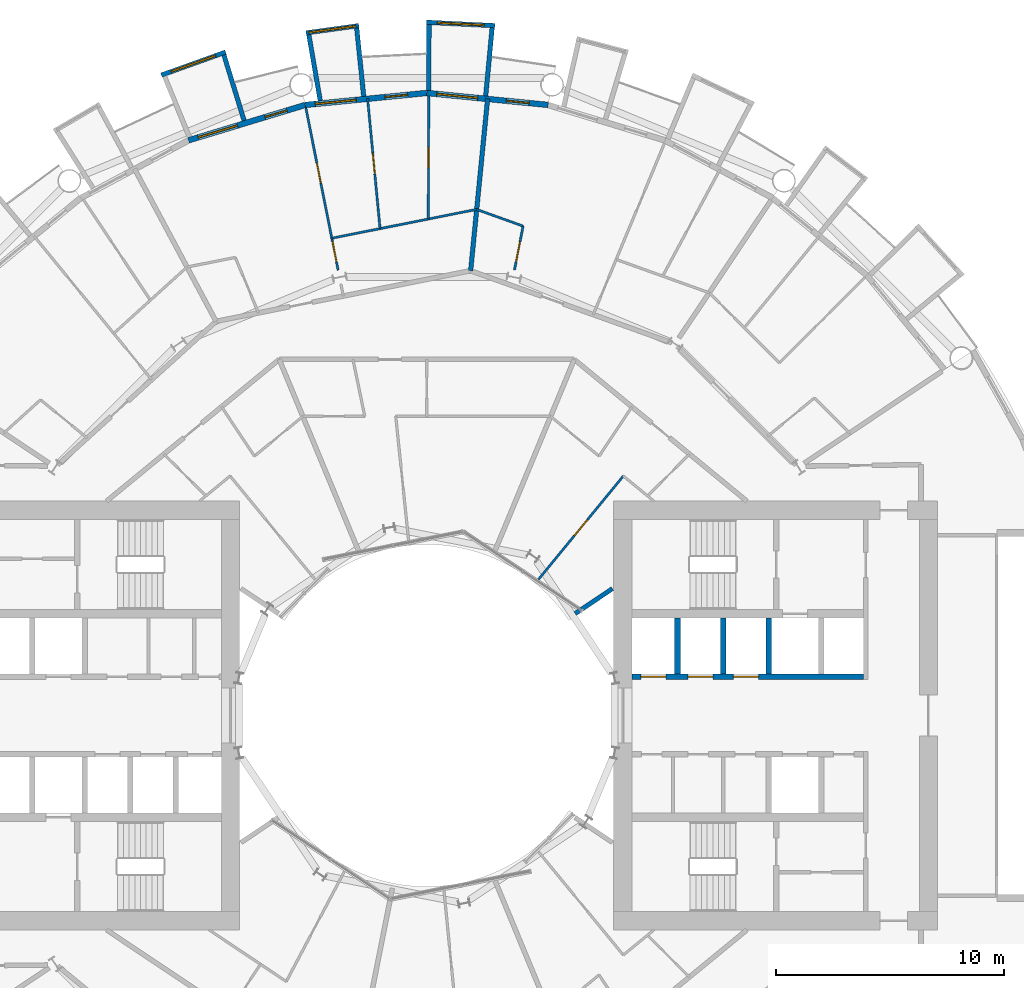
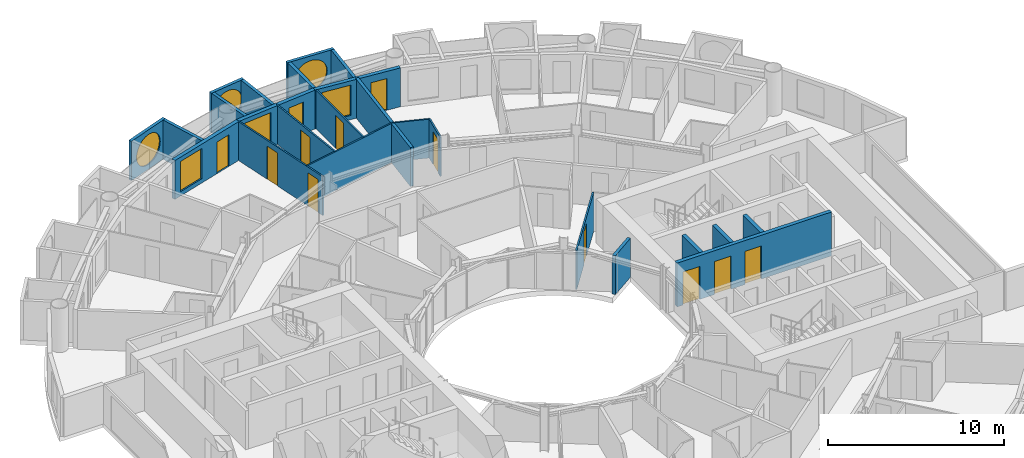
# One storey, part 20 of 26: 24 walls, 12 doors, 6 windows, 18 openings.
"""IFC4 building model written with IfcOpenShell, lengths in metres."""

from ifc_helpers import new_model, si_unit, direction, frame, frame_2d, origin, place, context, subcontext, project, spatial, rectangle, circle, extrude, material, layer, layer_set, type_object, element, fill, save


model = new_model("IFC4")

# Units and contexts
model_context = context("Model", 3, precision=1e-05, world=origin(), true_north=direction((0.0, 1.0)))
body_context = subcontext(model_context, "Body", "Model", "MODEL_VIEW")
ifc_project = project(units=[si_unit("LENGTHUNIT", "METRE"), si_unit("AREAUNIT", "SQUARE_METRE"), si_unit("VOLUMEUNIT", "CUBIC_METRE"), si_unit("PLANEANGLEUNIT", "RADIAN"), si_unit("MASSUNIT", "GRAM", prefix="KILO")], contexts=[model_context])

# Site, building, storey
site_placement = place(None, origin())
site = spatial("IfcSite", under=ifc_project, at=site_placement, CompositionType="ELEMENT")
building_placement = place(site_placement, origin())
building = spatial("IfcBuilding", under=site, at=building_placement, Name="Maasbend Ring Residences", CompositionType="ELEMENT")
storey_placement = place(building_placement, frame((0.0, 0.0, 35.0)))
storey = spatial("IfcBuildingStorey", under=building, at=storey_placement, Name="L09", CompositionType="ELEMENT", Elevation=35.0)

# Wall, openings, doors
ifc_material_1 = material(Name="Concrete C70/85", Category="concrete")
ifc_layer_1 = layer(ifc_material_1, 0.25)
ifc_layer_set_1 = layer_set([ifc_layer_1], Name="Concrete C70/85")
wall_type_1 = type_object("IfcWallType", Name="CORE WALL 250 C70/85", PredefinedType="SHEAR", material=ifc_layer_set_1)
wall_1_placement = place(storey_placement, frame((9.0, 1.699951171875, 0.0), z_axis=(0.0, 0.0, 1.0), x_axis=(1.0, 0.0, 0.0)))
wall_1 = element("IfcWall", 1, at=wall_1_placement, inside=storey, type_object=wall_type_1, Name="L09 core E wall SPN", PredefinedType="SHEAR", context=body_context, shape_type="SweptSolid", body=[
    extrude(rectangle(XDim=10.14990234375, YDim=0.25, at=frame_2d((5.074951171875, 0.0))), origin(), (0.0, 0.0, 1.0), 3.050048828125),
])
opening_1_placement = place(wall_1_placement, frame((0.387451171875, 0.0, 0.0)))
opening_1 = element("IfcOpeningElement", 2, at=opening_1_placement, cuts=wall_1, Name="Opening LD-E0901", PredefinedType="OPENING", context=body_context, shape_type="SweptSolid", body=[
    extrude(rectangle(XDim=1.10009765625, YDim=2.300048828125, at=frame_2d((0.550048828125, 1.14990234375))), frame((0.0, 0.135009765625, 0.0), z_axis=(0.0, -1.0, 0.0), x_axis=(1.0, 0.0, 0.0)), (0.0, 0.0, 1.0), 0.27001953125),
])
opening_2_placement = place(wall_1_placement, frame((2.449951171875, 0.0, 0.0)))
opening_2 = element("IfcOpeningElement", 3, at=opening_2_placement, cuts=wall_1, Name="Opening LD-E0902", PredefinedType="OPENING", context=body_context, shape_type="SweptSolid", body=[
    extrude(rectangle(XDim=1.10009765625, YDim=2.300048828125, at=frame_2d((0.550048828125, 1.14990234375))), frame((0.0, 0.135009765625, 0.0), z_axis=(0.0, -1.0, 0.0), x_axis=(1.0, 0.0, 0.0)), (0.0, 0.0, 1.0), 0.27001953125),
])
opening_3_placement = place(wall_1_placement, frame((4.449951171875, 0.0, 0.0)))
opening_3 = element("IfcOpeningElement", 4, at=opening_3_placement, cuts=wall_1, Name="Opening LD-E0903", PredefinedType="OPENING", context=body_context, shape_type="SweptSolid", body=[
    extrude(rectangle(XDim=1.10009765625, YDim=2.300048828125, at=frame_2d((0.550048828125, 1.14990234375))), frame((0.0, 0.135009765625, 0.0), z_axis=(0.0, -1.0, 0.0), x_axis=(1.0, 0.0, 0.0)), (0.0, 0.0, 1.0), 0.27001953125),
])
ifc_material_2 = material(Name="Stainless steel 316", Category="steel")
door_type_1 = type_object("IfcDoorType", Name="LANDING DOOR 1100 X 2300 FD60", OperationType="DOUBLE_DOOR_SLIDING", PredefinedType="DOOR", material=ifc_material_2)
door_1_placement = place(opening_1_placement, origin())
door_1 = element("IfcDoor", 5, at=door_1_placement, inside=storey, type_object=door_type_1, Name="Landing door LR-E1 L09", OperationType="DOUBLE_DOOR_SLIDING", OverallHeight=2.300048828125, OverallWidth=1.10009765625, PredefinedType="DOOR", context=body_context, shape_type="SweptSolid", body=[
    extrude(rectangle(XDim=1.10009765625, YDim=2.300048828125, at=frame_2d((0.550048828125, 1.14990234375))), frame((0.0, 0.02490234375, 0.0), z_axis=(0.0, -1.0, 0.0), x_axis=(1.0, 0.0, 0.0)), (0.0, 0.0, 1.0), 0.050048828125),
])
fill(opening_1, door_1)
door_2_placement = place(opening_2_placement, origin())
door_2 = element("IfcDoor", 6, at=door_2_placement, inside=storey, type_object=door_type_1, Name="Landing door LR-E2 L09", OperationType="DOUBLE_DOOR_SLIDING", OverallHeight=2.300048828125, OverallWidth=1.10009765625, PredefinedType="DOOR", context=body_context, shape_type="SweptSolid", body=[
    extrude(rectangle(XDim=1.10009765625, YDim=2.300048828125, at=frame_2d((0.550048828125, 1.14990234375))), frame((0.0, 0.02490234375, 0.0), z_axis=(0.0, -1.0, 0.0), x_axis=(1.0, 0.0, 0.0)), (0.0, 0.0, 1.0), 0.050048828125),
])
fill(opening_2, door_2)
door_3_placement = place(opening_3_placement, origin())
door_3 = element("IfcDoor", 7, at=door_3_placement, inside=storey, type_object=door_type_1, Name="Landing door LR-E3 L09", OperationType="DOUBLE_DOOR_SLIDING", OverallHeight=2.300048828125, OverallWidth=1.10009765625, PredefinedType="DOOR", context=body_context, shape_type="SweptSolid", body=[
    extrude(rectangle(XDim=1.10009765625, YDim=2.300048828125, at=frame_2d((0.550048828125, 1.14990234375))), frame((0.0, 0.02490234375, 0.0), z_axis=(0.0, -1.0, 0.0), x_axis=(1.0, 0.0, 0.0)), (0.0, 0.0, 1.0), 0.050048828125),
])
fill(opening_3, door_3)

# Wall, opening, window
ifc_material_3 = material(Name="Pale anodised aluminium panel", Category="aluminium")
ifc_layer_2 = layer(ifc_material_3, 0.199951171875)
ifc_layer_set_2 = layer_set([ifc_layer_2], Name="EW-BOX")
wall_type_2 = type_object("IfcWallType", Name="EW-BOX", PredefinedType="SOLIDWALL", material=ifc_layer_set_2)
wall_2_placement = place(storey_placement, frame((2.985107421875, 30.2529296875, -0.030029296875), z_axis=(0.0, 0.0, 1.0), x_axis=(-0.998794083011, 0.049095618353, 0.0)))
wall_2 = element("IfcWall", 8, at=wall_2_placement, inside=storey, type_object=wall_type_2, Name="Box front N10", PredefinedType="SOLIDWALL", context=body_context, shape_type="SweptSolid", body=[
    extrude(rectangle(XDim=2.99365234375, YDim=0.199951171875, at=frame_2d((1.496826171875, 0.0))), origin(), (0.0, 0.0, 1.0), 2.72998046875),
])
opening_4_placement = place(wall_2_placement, frame((0.45654296875, 0.0, 0.330078125)))
opening_4 = element("IfcOpeningElement", 9, at=opening_4_placement, cuts=wall_2, Name="Opening W-RD", PredefinedType="OPENING", context=body_context, shape_type="SweptSolid", body=[
    extrude(circle(Radius=1.0400390625, at=frame_2d((1.0400390625, 1.0400390625))), frame((0.0, 0.10986328125, 0.0), z_axis=(0.0, -1.0, 0.0), x_axis=(1.0, 0.0, 0.0)), (0.0, 0.0, 1.0), 0.219970703125),
])
ifc_material_4 = material(Name="Aluminium and clear glass", Category="aluminium")
window_type_1 = type_object("IfcWindowType", Name="W-RD", PartitioningType="SINGLE_PANEL", PredefinedType="WINDOW", material=ifc_material_4)
window_1_placement = place(opening_4_placement, origin())
window_1 = element("IfcWindow", 10, at=window_1_placement, inside=storey, type_object=window_type_1, Name="Round window N10", OverallHeight=2.080078125, OverallWidth=2.080078125, PartitioningType="SINGLE_PANEL", PredefinedType="WINDOW", context=body_context, shape_type="SweptSolid", body=[
    extrude(circle(Radius=1.0400390625, at=frame_2d((1.0400390625, 1.0400390625))), frame((0.0, 0.030029296875, 0.0), z_axis=(0.0, -1.0, 0.0), x_axis=(1.0, 0.0, 0.0)), (0.0, 0.0, 1.0), 0.06005859375),
])
fill(opening_4, window_1)

# Walls
wall_3_placement = place(storey_placement, frame((2.5859375, 27.1708984375, -0.030029296875), z_axis=(0.0, 0.0, 1.0), x_axis=(0.094548432284, 0.995520262954, 0.0)))
element("IfcWall", 11, at=wall_3_placement, inside=storey, type_object=wall_type_2, Name="Box side wall N10 left", PredefinedType="SOLIDWALL", context=body_context, shape_type="SweptSolid", body=[
    extrude(rectangle(XDim=3.005615234375, YDim=0.199951171875, at=frame_2d((1.5029296875, 0.0))), origin(), (0.0, 0.0, 1.0), 2.72998046875),
])
wall_4_placement = place(storey_placement, frame((0.090087890625, 27.4169921875, -0.030029296875), z_axis=(0.0, 0.0, 1.0), x_axis=(0.00347308367, 0.999993968827, 0.0)))
element("IfcWall", 12, at=wall_4_placement, inside=storey, type_object=wall_type_2, Name="Box side wall N10 right", PredefinedType="SOLIDWALL", context=body_context, shape_type="SweptSolid", body=[
    extrude(rectangle(XDim=2.882080078125, YDim=0.199951171875, at=frame_2d((1.44091796875, 0.0))), origin(), (0.0, 0.0, 1.0), 2.72998046875),
])

# Wall, opening, window
wall_5_placement = place(storey_placement, frame((-2.97607421875, 30.25390625, -0.030029296875), z_axis=(0.0, 0.0, 1.0), x_axis=(-0.990696111261, -0.136092671119, 0.0)))
wall_5 = element("IfcWall", 13, at=wall_5_placement, inside=storey, type_object=wall_type_2, Name="Box front N12", PredefinedType="SOLIDWALL", context=body_context, shape_type="SweptSolid", body=[
    extrude(rectangle(XDim=2.335693359375, YDim=0.199951171875, at=frame_2d((1.16796875, 0.0))), origin(), (0.0, 0.0, 1.0), 2.72998046875),
])
opening_5_placement = place(wall_5_placement, frame((0.128173828125, 0.0, 0.330078125)))
opening_5 = element("IfcOpeningElement", 14, at=opening_5_placement, cuts=wall_5, Name="Opening W-RD", PredefinedType="OPENING", context=body_context, shape_type="SweptSolid", body=[
    extrude(circle(Radius=1.0400390625, at=frame_2d((1.0400390625, 1.0400390625))), frame((0.0, 0.10986328125, 0.0), z_axis=(0.0, -1.0, 0.0), x_axis=(1.0, 0.0, 0.0)), (0.0, 0.0, 1.0), 0.219970703125),
])
window_2_placement = place(opening_5_placement, origin())
window_2 = element("IfcWindow", 15, at=window_2_placement, inside=storey, type_object=window_type_1, Name="Round window N12", OverallHeight=2.080078125, OverallWidth=2.080078125, PartitioningType="SINGLE_PANEL", PredefinedType="WINDOW", context=body_context, shape_type="SweptSolid", body=[
    extrude(circle(Radius=1.0400390625, at=frame_2d((1.0400390625, 1.0400390625))), frame((0.0, 0.030029296875, 0.0), z_axis=(0.0, -1.0, 0.0), x_axis=(1.0, 0.0, 0.0)), (0.0, 0.0, 1.0), 0.06005859375),
])
fill(opening_5, window_2)

# Walls
wall_6_placement = place(storey_placement, frame((-2.763916015625, 27.153076171875, -0.030029296875), z_axis=(0.0, 0.0, 1.0), x_axis=(-0.101505487237, 0.994834979311, 0.0)))
element("IfcWall", 16, at=wall_6_placement, inside=storey, type_object=wall_type_2, Name="Box side wall N12 left", PredefinedType="SOLIDWALL", context=body_context, shape_type="SweptSolid", body=[
    extrude(rectangle(XDim=3.006591796875, YDim=0.199951171875, at=frame_2d((1.50341796875, 0.0))), origin(), (0.0, 0.0, 1.0), 2.72998046875),
])
wall_7_placement = place(storey_placement, frame((-4.6708984375, 26.966064453125, -0.030029296875), z_axis=(0.0, 0.0, 1.0), x_axis=(-0.170539878907, 0.985350774954, 0.0)))
element("IfcWall", 17, at=wall_7_placement, inside=storey, type_object=wall_type_2, Name="Box side wall N12 right", PredefinedType="SOLIDWALL", context=body_context, shape_type="SweptSolid", body=[
    extrude(rectangle(XDim=2.931884765625, YDim=0.199951171875, at=frame_2d((1.4658203125, 0.0))), origin(), (0.0, 0.0, 1.0), 2.72998046875),
])

# Wall, opening, window
wall_8_placement = place(storey_placement, frame((-8.820068359375, 29.093017578125, -0.030029296875), z_axis=(0.0, 0.0, 1.0), x_axis=(-0.941461077774, -0.337121697664, 0.0)))
wall_8 = element("IfcWall", 18, at=wall_8_placement, inside=storey, type_object=wall_type_2, Name="Box front N14", PredefinedType="SOLIDWALL", context=body_context, shape_type="SweptSolid", body=[
    extrude(rectangle(XDim=2.9931640625, YDim=0.199951171875, at=frame_2d((1.49658203125, 0.0))), origin(), (0.0, 0.0, 1.0), 2.72998046875),
])
opening_6_placement = place(wall_8_placement, frame((0.45654296875, 0.0, 0.330078125)))
opening_6 = element("IfcOpeningElement", 19, at=opening_6_placement, cuts=wall_8, Name="Opening W-RD", PredefinedType="OPENING", context=body_context, shape_type="SweptSolid", body=[
    extrude(circle(Radius=1.0400390625, at=frame_2d((1.0400390625, 1.0400390625))), frame((0.0, 0.10986328125, 0.0), z_axis=(0.0, -1.0, 0.0), x_axis=(1.0, 0.0, 0.0)), (0.0, 0.0, 1.0), 0.219970703125),
])
window_3_placement = place(opening_6_placement, origin())
window_3 = element("IfcWindow", 20, at=window_3_placement, inside=storey, type_object=window_type_1, Name="Round window N14", OverallHeight=2.080078125, OverallWidth=2.080078125, PartitioningType="SINGLE_PANEL", PredefinedType="WINDOW", context=body_context, shape_type="SweptSolid", body=[
    extrude(circle(Radius=1.0400390625, at=frame_2d((1.0400390625, 1.0400390625))), frame((0.0, 0.030029296875, 0.0), z_axis=(0.0, -1.0, 0.0), x_axis=(1.0, 0.0, 0.0)), (0.0, 0.0, 1.0), 0.06005859375),
])
fill(opening_6, window_3)

# Wall
wall_9_placement = place(storey_placement, frame((-8.009033203125, 26.092041015625, -0.030029296875), z_axis=(0.0, 0.0, 1.0), x_axis=(-0.293406695073, 0.955987715029, 0.0)))
element("IfcWall", 21, at=wall_9_placement, inside=storey, type_object=wall_type_2, Name="Box side wall N14 left", PredefinedType="SOLIDWALL", context=body_context, shape_type="SweptSolid", body=[
    extrude(rectangle(XDim=3.00634765625, YDim=0.199951171875, at=frame_2d((1.503173828125, 0.0))), origin(), (0.0, 0.0, 1.0), 2.72998046875),
])

# Wall, openings, door, window
ifc_material_5 = material(Name="Aluminium clad insulated panel", Category="aluminium")
ifc_layer_3 = layer(ifc_material_5, 0.25)
ifc_layer_set_3 = layer_set([ifc_layer_3], Name="EW-GL")
wall_type_3 = type_object("IfcWallType", Name="EW-GL", PredefinedType="SOLIDWALL", material=ifc_layer_set_3)
wall_10_placement = place(storey_placement, frame((5.325927734375, 26.77490234375, 0.0), z_axis=(0.0, 0.0, 1.0), x_axis=(-0.995173996315, 0.098126026407, 0.0)))
wall_10 = element("IfcWall", 22, at=wall_10_placement, inside=storey, type_object=wall_type_3, Name="External wall N05", PredefinedType="SOLIDWALL", context=body_context, shape_type="SweptSolid", body=[
    extrude(rectangle(XDim=5.351806640625, YDim=0.25, at=frame_2d((2.67578125, 0.0))), origin(), (0.0, 0.0, 1.0), 2.699951171875),
])
opening_7_placement = place(wall_10_placement, frame((0.841064453125, 0.0, 0.0)))
opening_7 = element("IfcOpeningElement", 23, at=opening_7_placement, cuts=wall_10, Name="Opening D-LG", PredefinedType="OPENING", context=body_context, shape_type="SweptSolid", body=[
    extrude(rectangle(XDim=1.0, YDim=2.199951171875, at=frame_2d((0.5, 1.10009765625))), frame((0.0, 0.135009765625, 0.0), z_axis=(0.0, -1.0, 0.0), x_axis=(1.0, 0.0, 0.0)), (0.0, 0.0, 1.0), 0.27001953125),
])
opening_8_placement = place(wall_10_placement, frame((3.110595703125, 0.0, 0.300048828125)))
opening_8 = element("IfcOpeningElement", 24, at=opening_8_placement, cuts=wall_10, Name="Opening W-BX", PredefinedType="OPENING", context=body_context, shape_type="SweptSolid", body=[
    extrude(rectangle(XDim=1.800048828125, YDim=2.10009765625, at=frame_2d((0.89990234375, 1.050048828125))), frame((0.0, 0.135009765625, 0.0), z_axis=(0.0, -1.0, 0.0), x_axis=(1.0, 0.0, 0.0)), (0.0, 0.0, 1.0), 0.27001953125),
])
ifc_material_6 = material(Name="Aluminium and clear glass", Category="aluminium")
door_type_2 = type_object("IfcDoorType", Name="D-LG", OperationType="SINGLE_SWING_LEFT", PredefinedType="DOOR", material=ifc_material_6)
door_4_placement = place(opening_7_placement, origin())
door_4 = element("IfcDoor", 25, at=door_4_placement, inside=storey, type_object=door_type_2, Name="Loggia door N09", OperationType="SINGLE_SWING_LEFT", OverallHeight=2.199951171875, OverallWidth=1.0, PredefinedType="DOOR", context=body_context, shape_type="SweptSolid", body=[
    extrude(rectangle(XDim=1.0, YDim=2.199951171875, at=frame_2d((0.5, 1.10009765625))), frame((0.0, 0.02490234375, 0.0), z_axis=(0.0, -1.0, 0.0), x_axis=(1.0, 0.0, 0.0)), (0.0, 0.0, 1.0), 0.050048828125),
])
fill(opening_7, door_4)
ifc_material_7 = material(Name="Aluminium and clear glass", Category="aluminium")
window_type_2 = type_object("IfcWindowType", Name="W-BX", PartitioningType="DOUBLE_PANEL_VERTICAL", PredefinedType="WINDOW", material=ifc_material_7)
window_4_placement = place(opening_8_placement, origin())
window_4 = element("IfcWindow", 26, at=window_4_placement, inside=storey, type_object=window_type_2, Name="Window N10 room to box", OverallHeight=2.10009765625, OverallWidth=1.800048828125, PartitioningType="SINGLE_PANEL", PredefinedType="WINDOW", context=body_context, shape_type="SweptSolid", body=[
    extrude(rectangle(XDim=1.800048828125, YDim=2.10009765625, at=frame_2d((0.89990234375, 1.050048828125))), frame((0.0, 0.030029296875, 0.0), z_axis=(0.0, -1.0, 0.0), x_axis=(1.0, 0.0, 0.0)), (0.0, 0.0, 1.0), 0.06005859375),
])
fill(opening_8, window_4)

wall_11_placement = place(storey_placement, frame((0.0, 27.300048828125, 0.0), z_axis=(0.0, 0.0, 1.0), x_axis=(-0.995173996315, -0.098126026407, 0.0)))
wall_11 = element("IfcWall", 27, at=wall_11_placement, inside=storey, type_object=wall_type_3, Name="External wall N06", PredefinedType="SOLIDWALL", context=body_context, shape_type="SweptSolid", body=[
    extrude(rectangle(XDim=5.351806640625, YDim=0.25, at=frame_2d((2.67578125, 0.0))), origin(), (0.0, 0.0, 1.0), 2.699951171875),
])
opening_9_placement = place(wall_11_placement, frame((0.841064453125, 0.0, 0.0)))
opening_9 = element("IfcOpeningElement", 28, at=opening_9_placement, cuts=wall_11, Name="Opening D-LG", PredefinedType="OPENING", context=body_context, shape_type="SweptSolid", body=[
    extrude(rectangle(XDim=1.0, YDim=2.199951171875, at=frame_2d((0.5, 1.10009765625))), frame((0.0, 0.135009765625, 0.0), z_axis=(0.0, -1.0, 0.0), x_axis=(1.0, 0.0, 0.0)), (0.0, 0.0, 1.0), 0.27001953125),
])
opening_10_placement = place(wall_11_placement, frame((3.110595703125, 0.0, 0.300048828125)))
opening_10 = element("IfcOpeningElement", 29, at=opening_10_placement, cuts=wall_11, Name="Opening W-BX", PredefinedType="OPENING", context=body_context, shape_type="SweptSolid", body=[
    extrude(rectangle(XDim=1.800048828125, YDim=2.10009765625, at=frame_2d((0.89990234375, 1.050048828125))), frame((0.0, 0.135009765625, 0.0), z_axis=(0.0, -1.0, 0.0), x_axis=(1.0, 0.0, 0.0)), (0.0, 0.0, 1.0), 0.27001953125),
])
door_5_placement = place(opening_9_placement, origin())
door_5 = element("IfcDoor", 30, at=door_5_placement, inside=storey, type_object=door_type_2, Name="Loggia door N11", OperationType="SINGLE_SWING_LEFT", OverallHeight=2.199951171875, OverallWidth=1.0, PredefinedType="DOOR", context=body_context, shape_type="SweptSolid", body=[
    extrude(rectangle(XDim=1.0, YDim=2.199951171875, at=frame_2d((0.5, 1.10009765625))), frame((0.0, 0.02490234375, 0.0), z_axis=(0.0, -1.0, 0.0), x_axis=(1.0, 0.0, 0.0)), (0.0, 0.0, 1.0), 0.050048828125),
])
fill(opening_9, door_5)
window_5_placement = place(opening_10_placement, origin())
window_5 = element("IfcWindow", 31, at=window_5_placement, inside=storey, type_object=window_type_2, Name="Window N12 room to box", OverallHeight=2.10009765625, OverallWidth=1.800048828125, PartitioningType="SINGLE_PANEL", PredefinedType="WINDOW", context=body_context, shape_type="SweptSolid", body=[
    extrude(rectangle(XDim=1.800048828125, YDim=2.10009765625, at=frame_2d((0.89990234375, 1.050048828125))), frame((0.0, 0.030029296875, 0.0), z_axis=(0.0, -1.0, 0.0), x_axis=(1.0, 0.0, 0.0)), (0.0, 0.0, 1.0), 0.06005859375),
])
fill(opening_10, window_5)

wall_12_placement = place(storey_placement, frame((-5.325927734375, 26.77490234375, 0.0), z_axis=(0.0, 0.0, 1.0), x_axis=(-0.956965678721, -0.290201119486, 0.0)))
wall_12 = element("IfcWall", 32, at=wall_12_placement, inside=storey, type_object=wall_type_3, Name="External wall N07", PredefinedType="SOLIDWALL", context=body_context, shape_type="SweptSolid", body=[
    extrude(rectangle(XDim=5.351318359375, YDim=0.25, at=frame_2d((2.67578125, 0.0))), origin(), (0.0, 0.0, 1.0), 2.699951171875),
])
opening_11_placement = place(wall_12_placement, frame((0.841064453125, 0.0, 0.0)))
opening_11 = element("IfcOpeningElement", 33, at=opening_11_placement, cuts=wall_12, Name="Opening D-LG", PredefinedType="OPENING", context=body_context, shape_type="SweptSolid", body=[
    extrude(rectangle(XDim=1.0, YDim=2.199951171875, at=frame_2d((0.5, 1.10009765625))), frame((0.0, 0.135009765625, 0.0), z_axis=(0.0, -1.0, 0.0), x_axis=(1.0, 0.0, 0.0)), (0.0, 0.0, 1.0), 0.27001953125),
])
opening_12_placement = place(wall_12_placement, frame((3.110595703125, 0.0, 0.300048828125)))
opening_12 = element("IfcOpeningElement", 34, at=opening_12_placement, cuts=wall_12, Name="Opening W-BX", PredefinedType="OPENING", context=body_context, shape_type="SweptSolid", body=[
    extrude(rectangle(XDim=1.800048828125, YDim=2.10009765625, at=frame_2d((0.89990234375, 1.050048828125))), frame((0.0, 0.135009765625, 0.0), z_axis=(0.0, -1.0, 0.0), x_axis=(1.0, 0.0, 0.0)), (0.0, 0.0, 1.0), 0.27001953125),
])
door_6_placement = place(opening_11_placement, origin())
door_6 = element("IfcDoor", 35, at=door_6_placement, inside=storey, type_object=door_type_2, Name="Loggia door N13", OperationType="SINGLE_SWING_LEFT", OverallHeight=2.199951171875, OverallWidth=1.0, PredefinedType="DOOR", context=body_context, shape_type="SweptSolid", body=[
    extrude(rectangle(XDim=1.0, YDim=2.199951171875, at=frame_2d((0.5, 1.10009765625))), frame((0.0, 0.02490234375, 0.0), z_axis=(0.0, -1.0, 0.0), x_axis=(1.0, 0.0, 0.0)), (0.0, 0.0, 1.0), 0.050048828125),
])
fill(opening_11, door_6)
window_6_placement = place(opening_12_placement, origin())
window_6 = element("IfcWindow", 36, at=window_6_placement, inside=storey, type_object=window_type_2, Name="Window N14 room to box", OverallHeight=2.10009765625, OverallWidth=1.800048828125, PartitioningType="SINGLE_PANEL", PredefinedType="WINDOW", context=body_context, shape_type="SweptSolid", body=[
    extrude(rectangle(XDim=1.800048828125, YDim=2.10009765625, at=frame_2d((0.89990234375, 1.050048828125))), frame((0.0, 0.030029296875, 0.0), z_axis=(0.0, -1.0, 0.0), x_axis=(1.0, 0.0, 0.0)), (0.0, 0.0, 1.0), 0.06005859375),
])
fill(opening_12, window_6)

# Wall, openings, doors
ifc_material_8 = material(Name="Gypsum board on steel studs", Category="steel")
ifc_layer_4 = layer(ifc_material_8, 0.10009765625)
ifc_layer_set_4 = layer_set([ifc_layer_4], Name="PARTITION 100 GYPSUM")
wall_type_4 = type_object("IfcWallType", Name="PARTITION 100 GYPSUM", PredefinedType="PARTITIONING", material=ifc_layer_set_4)
wall_13_placement = place(storey_placement, frame((-5.301025390625, 26.653076171875, 0.0), z_axis=(0.0, 0.0, 1.0), x_axis=(0.19503038749, -0.980797200218, 0.0)))
wall_13 = element("IfcWall", 37, at=wall_13_placement, inside=storey, type_object=wall_type_4, Name="U-L09-w050", PredefinedType="PARTITIONING", context=body_context, shape_type="SweptSolid", body=[
    extrude(rectangle(XDim=7.265380859375, YDim=0.10009765625, at=frame_2d((3.6328125, 0.0))), origin(), (0.0, 0.0, 1.0), 2.699951171875),
])
opening_13_placement = place(wall_13_placement, frame((5.985107421875, 0.0, 0.0)))
opening_13 = element("IfcOpeningElement", 38, at=opening_13_placement, cuts=wall_13, Name="Opening D-0912", PredefinedType="OPENING", context=body_context, shape_type="SweptSolid", body=[
    extrude(rectangle(XDim=0.89990234375, YDim=2.300048828125, at=frame_2d((0.449951171875, 1.14990234375))), frame((0.0, 0.06005859375, 0.0), z_axis=(0.0, -1.0, 0.0), x_axis=(1.0, 0.0, 0.0)), (0.0, 0.0, 1.0), 0.1201171875),
])
opening_14_placement = place(wall_13_placement, frame((2.467041015625, 0.0, 0.0)))
opening_14 = element("IfcOpeningElement", 39, at=opening_14_placement, cuts=wall_13, Name="Opening D-0913", PredefinedType="OPENING", context=body_context, shape_type="SweptSolid", body=[
    extrude(rectangle(XDim=0.89990234375, YDim=2.300048828125, at=frame_2d((0.449951171875, 1.14990234375))), frame((0.0, 0.06005859375, 0.0), z_axis=(0.0, -1.0, 0.0), x_axis=(1.0, 0.0, 0.0)), (0.0, 0.0, 1.0), 0.1201171875),
])
ifc_material_9 = material(Name="Timber, painted", Category="wood")
door_type_3 = type_object("IfcDoorType", Name="INTERNAL DOOR 900 X 2300", OperationType="NOTDEFINED", PredefinedType="DOOR", material=ifc_material_9)
door_7_placement = place(opening_13_placement, origin())
door_7 = element("IfcDoor", 40, at=door_7_placement, inside=storey, type_object=door_type_3, Name="D-0912", OperationType="SINGLE_SWING_RIGHT", OverallHeight=2.300048828125, OverallWidth=0.89990234375, PredefinedType="DOOR", context=body_context, shape_type="SweptSolid", body=[
    extrude(rectangle(XDim=0.89990234375, YDim=2.300048828125, at=frame_2d((0.449951171875, 1.14990234375))), frame((0.0, 0.02490234375, 0.0), z_axis=(0.0, -1.0, 0.0), x_axis=(1.0, 0.0, 0.0)), (0.0, 0.0, 1.0), 0.050048828125),
])
fill(opening_13, door_7)
door_8_placement = place(opening_14_placement, origin())
door_8 = element("IfcDoor", 41, at=door_8_placement, inside=storey, type_object=door_type_3, Name="D-0913", OperationType="SINGLE_SWING_LEFT", OverallHeight=2.300048828125, OverallWidth=0.89990234375, PredefinedType="DOOR", context=body_context, shape_type="SweptSolid", body=[
    extrude(rectangle(XDim=0.89990234375, YDim=2.300048828125, at=frame_2d((0.449951171875, 1.14990234375))), frame((0.0, 0.02490234375, 0.0), z_axis=(0.0, -1.0, 0.0), x_axis=(1.0, 0.0, 0.0)), (0.0, 0.0, 1.0), 0.050048828125),
])
fill(opening_14, door_8)

# Wall, opening, door
wall_14_placement = place(storey_placement, frame((-2.593017578125, 27.051025390625, 0.0), z_axis=(0.0, 0.0, 1.0), x_axis=(0.095336244636, -0.995445126794, 0.0)))
wall_14 = element("IfcWall", 42, at=wall_14_placement, inside=storey, type_object=wall_type_4, Name="U-L09-w056", PredefinedType="PARTITIONING", context=body_context, shape_type="SweptSolid", body=[
    extrude(rectangle(XDim=5.72607421875, YDim=0.10009765625, at=frame_2d((2.863037109375, 0.0))), origin(), (0.0, 0.0, 1.0), 2.699951171875),
])
opening_15_placement = place(wall_14_placement, frame((2.4130859375, 0.0, 0.0)))
opening_15 = element("IfcOpeningElement", 43, at=opening_15_placement, cuts=wall_14, Name="Opening D-0914", PredefinedType="OPENING", context=body_context, shape_type="SweptSolid", body=[
    extrude(rectangle(XDim=0.89990234375, YDim=2.300048828125, at=frame_2d((0.449951171875, 1.14990234375))), frame((0.0, 0.06005859375, 0.0), z_axis=(0.0, -1.0, 0.0), x_axis=(1.0, 0.0, 0.0)), (0.0, 0.0, 1.0), 0.1201171875),
])
door_9_placement = place(opening_15_placement, origin())
door_9 = element("IfcDoor", 44, at=door_9_placement, inside=storey, type_object=door_type_3, Name="D-0914", OperationType="SINGLE_SWING_LEFT", OverallHeight=2.300048828125, OverallWidth=0.89990234375, PredefinedType="DOOR", context=body_context, shape_type="SweptSolid", body=[
    extrude(rectangle(XDim=0.89990234375, YDim=2.300048828125, at=frame_2d((0.449951171875, 1.14990234375))), frame((0.0, 0.02490234375, 0.0), z_axis=(0.0, -1.0, 0.0), x_axis=(1.0, 0.0, 0.0)), (0.0, 0.0, 1.0), 0.050048828125),
])
fill(opening_15, door_9)

wall_15_placement = place(storey_placement, frame((0.069091796875, 21.77197265625, 0.0), z_axis=(0.0, 0.0, 1.0), x_axis=(0.003298522564, 0.99999455986, 0.0)))
wall_15 = element("IfcWall", 45, at=wall_15_placement, inside=storey, type_object=wall_type_4, Name="U-L09-w061", PredefinedType="PARTITIONING", context=body_context, shape_type="SweptSolid", body=[
    extrude(rectangle(XDim=5.403076171875, YDim=0.10009765625, at=frame_2d((2.70166015625, 0.0))), origin(), (0.0, 0.0, 1.0), 2.699951171875),
])
opening_16_placement = place(wall_15_placement, frame((2.251953125, 0.0, 0.0)))
opening_16 = element("IfcOpeningElement", 46, at=opening_16_placement, cuts=wall_15, Name="Opening D-0915", PredefinedType="OPENING", context=body_context, shape_type="SweptSolid", body=[
    extrude(rectangle(XDim=0.89990234375, YDim=2.300048828125, at=frame_2d((0.449951171875, 1.14990234375))), frame((0.0, 0.06005859375, 0.0), z_axis=(0.0, -1.0, 0.0), x_axis=(1.0, 0.0, 0.0)), (0.0, 0.0, 1.0), 0.1201171875),
])
door_10_placement = place(opening_16_placement, origin())
door_10 = element("IfcDoor", 47, at=door_10_placement, inside=storey, type_object=door_type_3, Name="D-0915", OperationType="SINGLE_SWING_LEFT", OverallHeight=2.300048828125, OverallWidth=0.89990234375, PredefinedType="DOOR", context=body_context, shape_type="SweptSolid", body=[
    extrude(rectangle(XDim=0.89990234375, YDim=2.300048828125, at=frame_2d((0.449951171875, 1.14990234375))), frame((0.0, 0.02490234375, 0.0), z_axis=(0.0, -1.0, 0.0), x_axis=(1.0, 0.0, 0.0)), (0.0, 0.0, 1.0), 0.050048828125),
])
fill(opening_16, door_10)

wall_16_placement = place(storey_placement, frame((3.846923828125, 19.534912109375, 0.0), z_axis=(0.0, 0.0, 1.0), x_axis=(0.193055213522, 0.981187894611, 0.0)))
wall_16 = element("IfcWall", 48, at=wall_16_placement, inside=storey, type_object=wall_type_4, Name="U-L09-w068", PredefinedType="PARTITIONING", context=body_context, shape_type="SweptSolid", body=[
    extrude(rectangle(XDim=1.9638671875, YDim=0.10009765625, at=frame_2d((0.98193359375, 0.0))), origin(), (0.0, 0.0, 1.0), 2.699951171875),
])
opening_17_placement = place(wall_16_placement, frame((0.365966796875, 0.0, 0.0)))
opening_17 = element("IfcOpeningElement", 49, at=opening_17_placement, cuts=wall_16, Name="Opening D-0906", PredefinedType="OPENING", context=body_context, shape_type="SweptSolid", body=[
    extrude(rectangle(XDim=0.89990234375, YDim=2.300048828125, at=frame_2d((0.449951171875, 1.14990234375))), frame((0.0, 0.06005859375, 0.0), z_axis=(0.0, -1.0, 0.0), x_axis=(1.0, 0.0, 0.0)), (0.0, 0.0, 1.0), 0.1201171875),
])
door_11_placement = place(opening_17_placement, origin())
door_11 = element("IfcDoor", 50, at=door_11_placement, inside=storey, type_object=door_type_3, Name="D-0906", OperationType="SINGLE_SWING_LEFT", OverallHeight=2.300048828125, OverallWidth=0.89990234375, PredefinedType="DOOR", context=body_context, shape_type="SweptSolid", body=[
    extrude(rectangle(XDim=0.89990234375, YDim=2.300048828125, at=frame_2d((0.449951171875, 1.14990234375))), frame((0.0, 0.02490234375, 0.0), z_axis=(0.0, -1.0, 0.0), x_axis=(1.0, 0.0, 0.0)), (0.0, 0.0, 1.0), 0.050048828125),
])
fill(opening_17, door_11)

wall_17_placement = place(storey_placement, frame((4.89892578125, 5.967041015625, 0.0), z_axis=(0.0, 0.0, 1.0), x_axis=(0.634358693064, 0.773038840249, 0.0)))
wall_17 = element("IfcWall", 51, at=wall_17_placement, inside=storey, type_object=wall_type_4, Name="U-L09-w071", PredefinedType="PARTITIONING", context=body_context, shape_type="SweptSolid", body=[
    extrude(rectangle(XDim=5.86767578125, YDim=0.10009765625, at=frame_2d((2.933837890625, 0.0))), origin(), (0.0, 0.0, 1.0), 2.699951171875),
])
opening_18_placement = place(wall_17_placement, frame((2.48388671875, 0.0, 0.0)))
opening_18 = element("IfcOpeningElement", 52, at=opening_18_placement, cuts=wall_17, Name="Opening D-0924", PredefinedType="OPENING", context=body_context, shape_type="SweptSolid", body=[
    extrude(rectangle(XDim=0.89990234375, YDim=2.300048828125, at=frame_2d((0.449951171875, 1.14990234375))), frame((0.0, 0.06005859375, 0.0), z_axis=(0.0, -1.0, 0.0), x_axis=(1.0, 0.0, 0.0)), (0.0, 0.0, 1.0), 0.1201171875),
])
door_12_placement = place(opening_18_placement, origin())
door_12 = element("IfcDoor", 53, at=door_12_placement, inside=storey, type_object=door_type_3, Name="D-0924", OperationType="SINGLE_SWING_RIGHT", OverallHeight=2.300048828125, OverallWidth=0.89990234375, PredefinedType="DOOR", context=body_context, shape_type="SweptSolid", body=[
    extrude(rectangle(XDim=0.89990234375, YDim=2.300048828125, at=frame_2d((0.449951171875, 1.14990234375))), frame((0.0, 0.02490234375, 0.0), z_axis=(0.0, -1.0, 0.0), x_axis=(1.0, 0.0, 0.0)), (0.0, 0.0, 1.0), 0.050048828125),
])
fill(opening_18, door_12)

# Walls
wall_18_placement = place(storey_placement, frame((-4.1630859375, 20.929931640625, 0.0), z_axis=(0.0, 0.0, 1.0), x_axis=(0.98077745026, 0.195129682675, 0.0)))
element("IfcWall", 54, at=wall_18_placement, inside=storey, type_object=wall_type_4, Name="U-L09-w110", PredefinedType="PARTITIONING", context=body_context, shape_type="SweptSolid", body=[
    extrude(rectangle(XDim=6.4736328125, YDim=0.10009765625, at=frame_2d((3.23681640625, 0.0))), origin(), (0.0, 0.0, 1.0), 2.699951171875),
])
wall_19_placement = place(storey_placement, frame((2.18603515625, 22.193115234375, 0.0), z_axis=(0.0, 0.0, 1.0), x_axis=(0.941358984217, -0.337406672777, 0.0)))
element("IfcWall", 55, at=wall_19_placement, inside=storey, type_object=wall_type_4, Name="U-L09-w113", PredefinedType="PARTITIONING", context=body_context, shape_type="SweptSolid", body=[
    extrude(rectangle(XDim=2.167236328125, YDim=0.10009765625, at=frame_2d((1.08349609375, 0.0))), origin(), (0.0, 0.0, 1.0), 2.699951171875),
])
ifc_material_10 = material(Name="Concrete C30/37", Category="concrete")
ifc_layer_5 = layer(ifc_material_10, 0.199951171875)
ifc_layer_set_5 = layer_set([ifc_layer_5], Name="Concrete C30/37")
wall_type_5 = type_object("IfcWallType", Name="PARTY WALL 200 CONCRETE", PredefinedType="PARTITIONING", material=ifc_layer_set_5)
wall_20_placement = place(storey_placement, frame((1.926025390625, 19.5048828125, 0.0), z_axis=(0.0, 0.0, 1.0), x_axis=(0.098208010272, 0.995165909142, 0.0)))
element("IfcWall", 56, at=wall_20_placement, inside=storey, type_object=wall_type_5, Name="U-L09-w063", PredefinedType="PARTITIONING", context=body_context, shape_type="SweptSolid", body=[
    extrude(rectangle(XDim=7.57470703125, YDim=0.199951171875, at=frame_2d((3.787353515625, 0.0))), origin(), (0.0, 0.0, 1.0), 2.699951171875),
])
wall_21_placement = place(storey_placement, frame((6.512939453125, 4.471923828125, 0.0), z_axis=(0.0, 0.0, 1.0), x_axis=(0.831417956244, 0.555647533996, 0.0)))
element("IfcWall", 57, at=wall_21_placement, inside=storey, type_object=wall_type_5, Name="U-L09-w093", PredefinedType="PARTITIONING", context=body_context, shape_type="SweptSolid", body=[
    extrude(rectangle(XDim=1.9619140625, YDim=0.199951171875, at=frame_2d((0.98095703125, 0.0))), origin(), (0.0, 0.0, 1.0), 2.699951171875),
])
ifc_material_11 = material(Name="Concrete C30/37", Category="concrete")
ifc_layer_6 = layer(ifc_material_11, 0.25)
ifc_layer_set_6 = layer_set([ifc_layer_6], Name="Concrete C30/37")
wall_type_6 = type_object("IfcWallType", Name="SHAFT WALL 250 EI 120", PredefinedType="SOLIDWALL", material=ifc_layer_set_6)
for number, where, z_axis, x_axis, name in (
    (58, (15.0, 1.824951171875, 0.0), (0.0, 0.0, 1.0), (0.0, 1.0, 0.0), "L09 core E wall D150N"),
    (59, (11.0, 1.824951171875, 0.0), (0.0, 0.0, 1.0), (0.0, 1.0, 0.0), "L09 core E wall D110N"),
    (60, (13.0, 1.824951171875, 0.0), (0.0, 0.0, 1.0), (0.0, 1.0, 0.0), "L09 core E wall D130N"),
):
    element("IfcWall", number, at=place(storey_placement, frame(where, z_axis=z_axis, x_axis=x_axis)), inside=storey, type_object=wall_type_6, Name=name, PredefinedType="SOLIDWALL", context=body_context, shape_type="SweptSolid", body=[
        extrude(rectangle(XDim=2.449951171875, YDim=0.25, at=frame_2d((1.22509765625, 0.0))), origin(), (0.0, 0.0, 1.0), 2.699951171875),
    ])

save(model, "model.ifc")
